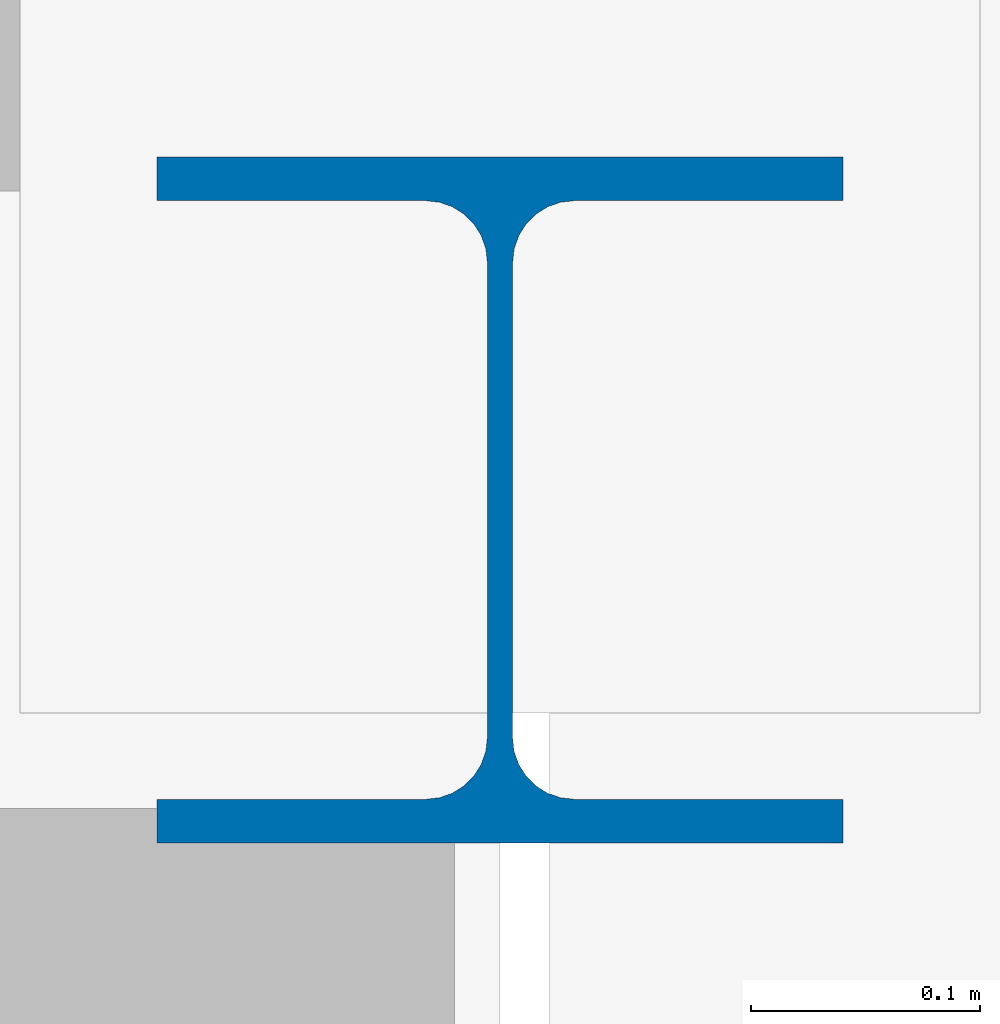
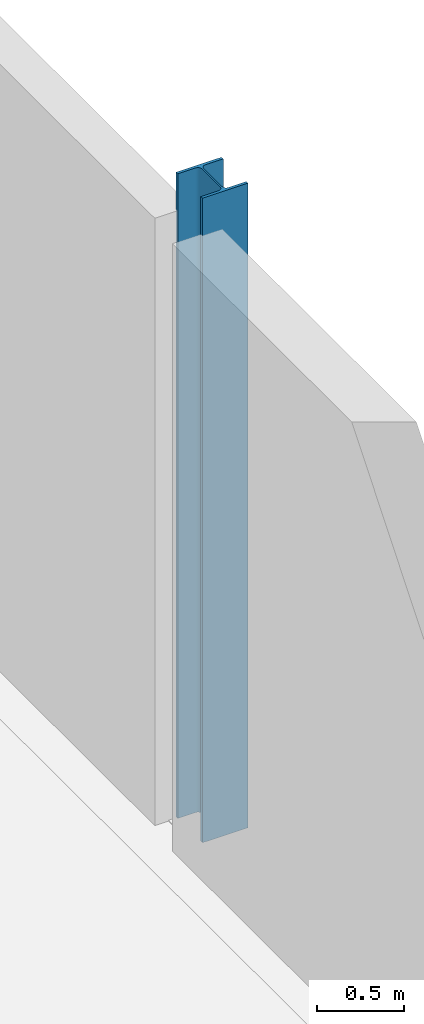
# One storey, part 6 of 58: 1 column.
"""IFC4 building model written with IfcOpenShell, lengths in metres."""

from ifc_helpers import new_model, si_unit, direction, frame, origin, origin_2d, place, context, subcontext, project, spatial, i_section, extrude, material, material_profile, profile_set, type_object, element, save


model = new_model("IFC4")

# Units and contexts
model_context = context("Model", 3, precision=1e-05, world=origin(), true_north=direction((0.0, 1.0)))
body_context = subcontext(model_context, "Body", "Model", "MODEL_VIEW")
ifc_project = project(units=[si_unit("LENGTHUNIT", "METRE"), si_unit("AREAUNIT", "SQUARE_METRE"), si_unit("VOLUMEUNIT", "CUBIC_METRE"), si_unit("PLANEANGLEUNIT", "RADIAN"), si_unit("MASSUNIT", "GRAM", prefix="KILO")], contexts=[model_context])

# Site, building, storey
site_placement = place(None, origin())
site = spatial("IfcSite", under=ifc_project, at=site_placement, CompositionType="ELEMENT")
building_placement = place(site_placement, origin())
building = spatial("IfcBuilding", under=site, at=building_placement, Name="Brisavento Harbour Community Centre", CompositionType="ELEMENT")
storey_placement = place(building_placement, origin())
storey = spatial("IfcBuildingStorey", under=building, at=storey_placement, Name="L00", CompositionType="ELEMENT", Elevation=0.0)

# Column
ifc_material = material(Name="Steel S355", Category="steel")
ifc_material_profile = material_profile(ifc_material, i_section(OverallWidth=0.300048828125, OverallDepth=0.300048828125, WebThickness=0.010986328125, FlangeThickness=0.01904296875, FilletRadius=0.027099609375, at=origin_2d()), Name="Steel S355")
ifc_profile_set = profile_set([ifc_material_profile], Name="Steel S355")
column_type = type_object("IfcColumnType", Name="COL-STL-HEB300", PredefinedType="COLUMN", material=ifc_profile_set)
column_placement = place(storey_placement, frame((172.800048828125, 93.60009765625, 0.0), z_axis=(0.0, 0.0, 1.0), x_axis=(1.0, 0.0, 0.0)))
element("IfcColumn", 1, at=column_placement, inside=storey, type_object=column_type, Name="L00 column V4E-93", PredefinedType="COLUMN", context=body_context, shape_type="SweptSolid", body=[
    extrude(i_section(OverallWidth=0.300048828125, OverallDepth=0.300048828125, WebThickness=0.010986328125, FlangeThickness=0.01904296875, FilletRadius=0.027099609375, at=origin_2d()), origin(), (0.0, 0.0, 1.0), 4.5),
])

save(model, "model.ifc")
